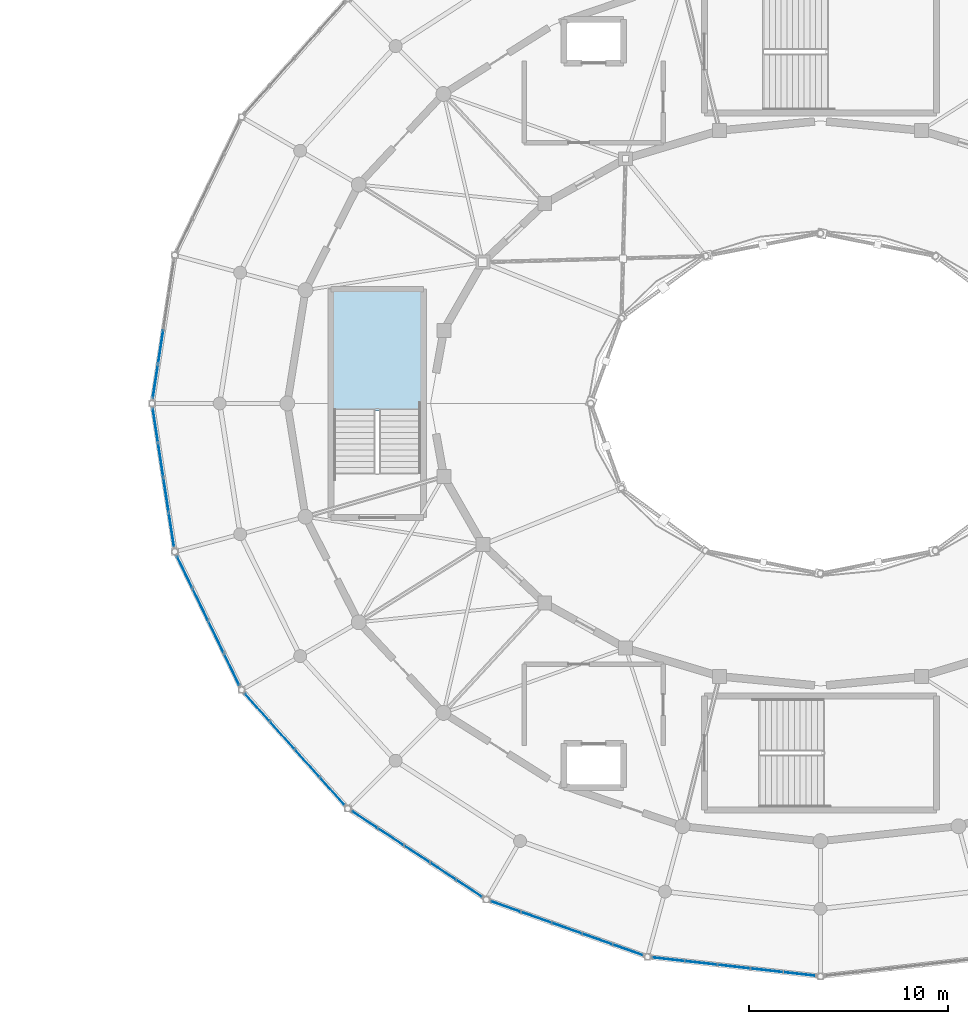
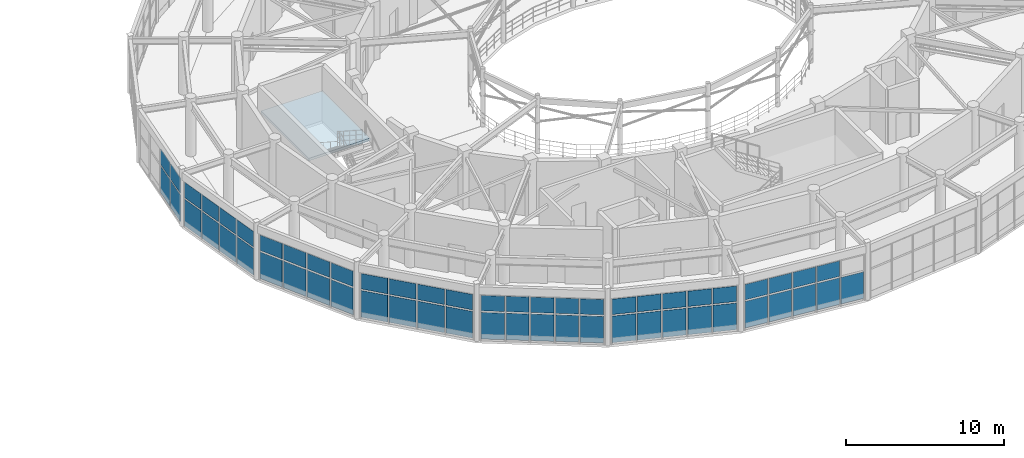
# One storey, part 31 of 60: 57 plates, 1 slab, 8 elements without a shape of their own.
"""IFC4 building model written with IfcOpenShell, lengths in metres."""

from ifc_helpers import new_model, si_unit, direction, frame, origin, origin_2d, place, context, subcontext, project, spatial, polyline, rectangle, outline, extrude, material, layer, layer_set, type_object, element, aggregate, save


model = new_model("IFC4")

# Units and contexts
model_context = context("Model", 3, precision=1e-05, world=origin(), true_north=direction((0.0, 1.0)))
body_context = subcontext(model_context, "Body", "Model", "MODEL_VIEW")
ifc_project = project(units=[si_unit("LENGTHUNIT", "METRE"), si_unit("AREAUNIT", "SQUARE_METRE"), si_unit("VOLUMEUNIT", "CUBIC_METRE"), si_unit("PLANEANGLEUNIT", "RADIAN"), si_unit("MASSUNIT", "GRAM", prefix="KILO")], contexts=[model_context])

# Site, building, storey
site_placement = place(None, origin())
site = spatial("IfcSite", under=ifc_project, at=site_placement, CompositionType="ELEMENT")
building_placement = place(site_placement, origin())
building = spatial("IfcBuilding", under=site, at=building_placement, Name="Cinderbank Siding Concert Hall", CompositionType="ELEMENT")
storey_placement = place(building_placement, frame((0.0, 0.0, 14.699951171875)))
storey = spatial("IfcBuildingStorey", under=building, at=storey_placement, Name="L04", CompositionType="ELEMENT", Elevation=14.699951171875)

# Curtain wall, plates
ifc_material_1 = material(Name="Anodised aluminium alloy 6063-T6", Category="aluminium")
curtain_wall_type_1 = type_object("IfcCurtainWallType", Name="CW-05 Unitised Acoustic Curtain Wall 8200x3800", PredefinedType="NOTDEFINED", material=ifc_material_1)
curtain_wall_1_placement = place(storey_placement, origin())
curtain_wall_1 = element("IfcCurtainWall", 1, at=curtain_wall_1_placement, inside=storey, type_object=curtain_wall_type_1, Name="L04 Curtain Wall CW-05 #64", PredefinedType="NOTDEFINED")
ifc_material_2 = material(Name="Double-glazed laminated acoustic glass", Category="glass")
ifc_layer_1 = layer(ifc_material_2, 0.035888671875)
ifc_layer_set_1 = layer_set([ifc_layer_1], Name="Double-glazed laminated acoustic glass")
plate_type_1 = type_object("IfcPlateType", Name="CP-01 Glazed Curtain Panel 1800x2200", PredefinedType="CURTAIN_PANEL", material=ifc_layer_set_1)
plate_1_placement = place(storey_placement, frame((106.181396484375, 18.7099609375, 0.1201171875), z_axis=(0.0, 0.0, 1.0), x_axis=(0.942365662238, -0.334584755532, 0.0)))
plate_1 = element("IfcPlate", 2, at=plate_1_placement, type_object=plate_type_1, Name="CW-L04-064 Glazed Panel 0-0", PredefinedType="CURTAIN_PANEL", context=body_context, shape_type="SweptSolid", body=[
    extrude(rectangle(XDim=1.529052734375, YDim=0.035888671875, at=origin_2d()), origin(), (0.0, 0.0, 1.0), 2.0625),
])
plate_2_placement = place(storey_placement, frame((106.181396484375, 18.7099609375, 2.302734375), z_axis=(0.0, 0.0, 1.0), x_axis=(0.942365662238, -0.334584755532, 0.0)))
plate_2 = element("IfcPlate", 3, at=plate_2_placement, type_object=plate_type_1, Name="CW-L04-064 Glazed Panel 0-1", PredefinedType="CURTAIN_PANEL", context=body_context, shape_type="SweptSolid", body=[
    extrude(rectangle(XDim=1.529052734375, YDim=0.035888671875, at=origin_2d()), origin(), (0.0, 0.0, 1.0), 1.194580078125),
])
plate_3_placement = place(storey_placement, frame((107.716796875, 18.1650390625, 0.1201171875), z_axis=(0.0, 0.0, 1.0), x_axis=(0.942365662238, -0.334584755532, 0.0)))
plate_3 = element("IfcPlate", 4, at=plate_3_placement, type_object=plate_type_1, Name="CW-L04-064 Glazed Panel 1-0", PredefinedType="CURTAIN_PANEL", context=body_context, shape_type="SweptSolid", body=[
    extrude(rectangle(XDim=1.529052734375, YDim=0.035888671875, at=origin_2d()), origin(), (0.0, 0.0, 1.0), 2.0625),
])
plate_4_placement = place(storey_placement, frame((107.716796875, 18.1650390625, 2.302734375), z_axis=(0.0, 0.0, 1.0), x_axis=(0.942365662238, -0.334584755532, 0.0)))
plate_4 = element("IfcPlate", 5, at=plate_4_placement, type_object=plate_type_1, Name="CW-L04-064 Glazed Panel 1-1", PredefinedType="CURTAIN_PANEL", context=body_context, shape_type="SweptSolid", body=[
    extrude(rectangle(XDim=1.529052734375, YDim=0.035888671875, at=origin_2d()), origin(), (0.0, 0.0, 1.0), 1.194580078125),
])
plate_5_placement = place(storey_placement, frame((109.251953125, 17.619873046875, 0.1201171875), z_axis=(0.0, 0.0, 1.0), x_axis=(0.942365662238, -0.334584755532, 0.0)))
plate_5 = element("IfcPlate", 6, at=plate_5_placement, type_object=plate_type_1, Name="CW-L04-064 Glazed Panel 2-0", PredefinedType="CURTAIN_PANEL", context=body_context, shape_type="SweptSolid", body=[
    extrude(rectangle(XDim=1.529052734375, YDim=0.035888671875, at=origin_2d()), origin(), (0.0, 0.0, 1.0), 2.0625),
])
plate_6_placement = place(storey_placement, frame((109.251953125, 17.619873046875, 2.302734375), z_axis=(0.0, 0.0, 1.0), x_axis=(0.942365662238, -0.334584755532, 0.0)))
plate_6 = element("IfcPlate", 7, at=plate_6_placement, type_object=plate_type_1, Name="CW-L04-064 Glazed Panel 2-1", PredefinedType="CURTAIN_PANEL", context=body_context, shape_type="SweptSolid", body=[
    extrude(rectangle(XDim=1.529052734375, YDim=0.035888671875, at=origin_2d()), origin(), (0.0, 0.0, 1.0), 1.194580078125),
])
plate_7_placement = place(storey_placement, frame((110.787109375, 17.07470703125, 0.1201171875), z_axis=(0.0, 0.0, 1.0), x_axis=(0.942365662238, -0.334584755532, 0.0)))
plate_7 = element("IfcPlate", 8, at=plate_7_placement, type_object=plate_type_1, Name="CW-L04-064 Glazed Panel 3-0", PredefinedType="CURTAIN_PANEL", context=body_context, shape_type="SweptSolid", body=[
    extrude(rectangle(XDim=1.529052734375, YDim=0.035888671875, at=origin_2d()), origin(), (0.0, 0.0, 1.0), 2.0625),
])
plate_8_placement = place(storey_placement, frame((110.787109375, 17.07470703125, 2.302734375), z_axis=(0.0, 0.0, 1.0), x_axis=(0.942365662238, -0.334584755532, 0.0)))
plate_8 = element("IfcPlate", 9, at=plate_8_placement, type_object=plate_type_1, Name="CW-L04-064 Glazed Panel 3-1", PredefinedType="CURTAIN_PANEL", context=body_context, shape_type="SweptSolid", body=[
    extrude(rectangle(XDim=1.529052734375, YDim=0.035888671875, at=origin_2d()), origin(), (0.0, 0.0, 1.0), 1.194580078125),
])
plate_9_placement = place(storey_placement, frame((112.322265625, 16.52978515625, 0.1201171875), z_axis=(0.0, 0.0, 1.0), x_axis=(0.942365662238, -0.334584755532, 0.0)))
plate_9 = element("IfcPlate", 10, at=plate_9_placement, type_object=plate_type_1, Name="CW-L04-064 Glazed Panel 4-0", PredefinedType="CURTAIN_PANEL", context=body_context, shape_type="SweptSolid", body=[
    extrude(rectangle(XDim=1.529052734375, YDim=0.035888671875, at=origin_2d()), origin(), (0.0, 0.0, 1.0), 2.0625),
])
plate_10_placement = place(storey_placement, frame((112.322265625, 16.52978515625, 2.302734375), z_axis=(0.0, 0.0, 1.0), x_axis=(0.942365662238, -0.334584755532, 0.0)))
plate_10 = element("IfcPlate", 11, at=plate_10_placement, type_object=plate_type_1, Name="CW-L04-064 Glazed Panel 4-1", PredefinedType="CURTAIN_PANEL", context=body_context, shape_type="SweptSolid", body=[
    extrude(rectangle(XDim=1.529052734375, YDim=0.035888671875, at=origin_2d()), origin(), (0.0, 0.0, 1.0), 1.194580078125),
])
aggregate(curtain_wall_1, [plate_1, plate_2, plate_3, plate_4, plate_5, plate_6, plate_7, plate_8, plate_9, plate_10])

curtain_wall_type_2 = type_object("IfcCurtainWallType", Name="CW-06 Unitised Acoustic Curtain Wall 7600x3800", PredefinedType="NOTDEFINED", material=ifc_material_1)
curtain_wall_2_placement = place(storey_placement, origin())
curtain_wall_2 = element("IfcCurtainWall", 12, at=curtain_wall_2_placement, inside=storey, type_object=curtain_wall_type_2, Name="L04 Curtain Wall CW-06 #65", PredefinedType="NOTDEFINED")
ifc_layer_2 = layer(ifc_material_2, 0.035888671875)
ifc_layer_set_2 = layer_set([ifc_layer_2], Name="Double-glazed laminated acoustic glass")
plate_type_2 = type_object("IfcPlateType", Name="CP-02 Glazed Curtain Panel 1800x1900", PredefinedType="CURTAIN_PANEL", material=ifc_layer_set_2)
plate_11_placement = place(storey_placement, frame((114.353759765625, 16.062744140625, 0.1201171875), z_axis=(0.0, 0.0, 1.0), x_axis=(0.993693605349, -0.112129472879, 0.0)))
plate_11 = element("IfcPlate", 13, at=plate_11_placement, type_object=plate_type_2, Name="CW-L04-065 Glazed Panel 0-0", PredefinedType="CURTAIN_PANEL", context=body_context, shape_type="SweptSolid", body=[
    extrude(rectangle(XDim=1.5595703125, YDim=0.035888671875, at=origin_2d()), origin(), (0.0, 0.0, 1.0), 2.0625),
])
plate_12_placement = place(storey_placement, frame((114.353759765625, 16.062744140625, 2.302734375), z_axis=(0.0, 0.0, 1.0), x_axis=(0.993693605349, -0.112129472879, 0.0)))
plate_12 = element("IfcPlate", 14, at=plate_12_placement, type_object=plate_type_2, Name="CW-L04-065 Glazed Panel 0-1", PredefinedType="CURTAIN_PANEL", context=body_context, shape_type="SweptSolid", body=[
    extrude(rectangle(XDim=1.5595703125, YDim=0.035888671875, at=origin_2d()), origin(), (0.0, 0.0, 1.0), 1.194580078125),
])
plate_13_placement = place(storey_placement, frame((116.002685546875, 15.876708984375, 0.1201171875), z_axis=(0.0, 0.0, 1.0), x_axis=(0.993693605349, -0.112129472879, 0.0)))
plate_13 = element("IfcPlate", 15, at=plate_13_placement, type_object=plate_type_2, Name="CW-L04-065 Glazed Panel 1-0", PredefinedType="CURTAIN_PANEL", context=body_context, shape_type="SweptSolid", body=[
    extrude(rectangle(XDim=1.5595703125, YDim=0.035888671875, at=origin_2d()), origin(), (0.0, 0.0, 1.0), 2.0625),
])
plate_14_placement = place(storey_placement, frame((116.002685546875, 15.876708984375, 2.302734375), z_axis=(0.0, 0.0, 1.0), x_axis=(0.993693605349, -0.112129472879, 0.0)))
plate_14 = element("IfcPlate", 16, at=plate_14_placement, type_object=plate_type_2, Name="CW-L04-065 Glazed Panel 1-1", PredefinedType="CURTAIN_PANEL", context=body_context, shape_type="SweptSolid", body=[
    extrude(rectangle(XDim=1.5595703125, YDim=0.035888671875, at=origin_2d()), origin(), (0.0, 0.0, 1.0), 1.194580078125),
])
plate_15_placement = place(storey_placement, frame((117.65185546875, 15.690673828125, 0.1201171875), z_axis=(0.0, 0.0, 1.0), x_axis=(0.993693605349, -0.112129472879, 0.0)))
plate_15 = element("IfcPlate", 17, at=plate_15_placement, type_object=plate_type_2, Name="CW-L04-065 Glazed Panel 2-0", PredefinedType="CURTAIN_PANEL", context=body_context, shape_type="SweptSolid", body=[
    extrude(rectangle(XDim=1.5595703125, YDim=0.035888671875, at=origin_2d()), origin(), (0.0, 0.0, 1.0), 2.0625),
])
plate_16_placement = place(storey_placement, frame((117.65185546875, 15.690673828125, 2.302734375), z_axis=(0.0, 0.0, 1.0), x_axis=(0.993693605349, -0.112129472879, 0.0)))
plate_16 = element("IfcPlate", 18, at=plate_16_placement, type_object=plate_type_2, Name="CW-L04-065 Glazed Panel 2-1", PredefinedType="CURTAIN_PANEL", context=body_context, shape_type="SweptSolid", body=[
    extrude(rectangle(XDim=1.5595703125, YDim=0.035888671875, at=origin_2d()), origin(), (0.0, 0.0, 1.0), 1.194580078125),
])
plate_17_placement = place(storey_placement, frame((119.30078125, 15.504638671875, 0.1201171875), z_axis=(0.0, 0.0, 1.0), x_axis=(0.993693605349, -0.112129472879, 0.0)))
plate_17 = element("IfcPlate", 19, at=plate_17_placement, type_object=plate_type_2, Name="CW-L04-065 Glazed Panel 3-0", PredefinedType="CURTAIN_PANEL", context=body_context, shape_type="SweptSolid", body=[
    extrude(rectangle(XDim=1.5595703125, YDim=0.035888671875, at=origin_2d()), origin(), (0.0, 0.0, 1.0), 2.0625),
])
plate_18_placement = place(storey_placement, frame((119.30078125, 15.504638671875, 2.302734375), z_axis=(0.0, 0.0, 1.0), x_axis=(0.993693605349, -0.112129472879, 0.0)))
plate_18 = element("IfcPlate", 20, at=plate_18_placement, type_object=plate_type_2, Name="CW-L04-065 Glazed Panel 3-1", PredefinedType="CURTAIN_PANEL", context=body_context, shape_type="SweptSolid", body=[
    extrude(rectangle(XDim=1.5595703125, YDim=0.035888671875, at=origin_2d()), origin(), (0.0, 0.0, 1.0), 1.194580078125),
])
plate_19_placement = place(storey_placement, frame((120.949951171875, 15.318603515625, 0.1201171875), z_axis=(0.0, 0.0, 1.0), x_axis=(0.993693605349, -0.112129472879, 0.0)))
plate_19 = element("IfcPlate", 21, at=plate_19_placement, type_object=plate_type_2, Name="CW-L04-065 Glazed Panel 4-0", PredefinedType="CURTAIN_PANEL", context=body_context, shape_type="SweptSolid", body=[
    extrude(rectangle(XDim=1.5595703125, YDim=0.035888671875, at=origin_2d()), origin(), (0.0, 0.0, 1.0), 2.0625),
])
aggregate(curtain_wall_2, [plate_11, plate_12, plate_13, plate_14, plate_15, plate_16, plate_17, plate_18, plate_19])

curtain_wall_type_3 = type_object("IfcCurtainWallType", Name="CW-12 Unitised Acoustic Curtain Wall 5800x3500", PredefinedType="NOTDEFINED", material=ifc_material_1)
curtain_wall_3_placement = place(storey_placement, origin())
curtain_wall_3 = element("IfcCurtainWall", 22, at=curtain_wall_3_placement, inside=storey, type_object=curtain_wall_type_3, Name="L04 Curtain Wall CW-12 #59", PredefinedType="NOTDEFINED")
ifc_layer_3 = layer(ifc_material_2, 0.031982421875)
ifc_layer_set_3 = layer_set([ifc_layer_3], Name="Double-glazed laminated acoustic glass")
plate_type_3 = type_object("IfcPlateType", Name="CP-04 Glazed Curtain Panel 1400x2000", PredefinedType="CURTAIN_PANEL", material=ifc_layer_set_3)
plate_20_placement = place(storey_placement, frame((88.837890625, 46.851318359375, 0.1201171875), z_axis=(0.0, 0.0, 1.0), x_axis=(-0.151815048473, -0.988408918949, 0.0)))
plate_20 = element("IfcPlate", 23, at=plate_20_placement, type_object=plate_type_3, Name="CW-L04-059 Glazed Panel 2-0", PredefinedType="CURTAIN_PANEL", context=body_context, shape_type="SweptSolid", body=[
    extrude(rectangle(XDim=1.671875, YDim=0.035888671875, at=origin_2d()), origin(), (0.0, 0.0, 1.0), 2.0625),
])
plate_21_placement = place(storey_placement, frame((88.837890625, 46.851318359375, 2.302734375), z_axis=(0.0, 0.0, 1.0), x_axis=(-0.151815048473, -0.988408918949, 0.0)))
plate_21 = element("IfcPlate", 24, at=plate_21_placement, type_object=plate_type_3, Name="CW-L04-059 Glazed Panel 2-1", PredefinedType="CURTAIN_PANEL", context=body_context, shape_type="SweptSolid", body=[
    extrude(rectangle(XDim=1.671875, YDim=0.035888671875, at=origin_2d()), origin(), (0.0, 0.0, 1.0), 1.194580078125),
])
plate_22_placement = place(storey_placement, frame((88.569091796875, 45.10009765625, 0.1201171875), z_axis=(0.0, 0.0, 1.0), x_axis=(-0.151815048473, -0.988408918949, 0.0)))
plate_22 = element("IfcPlate", 25, at=plate_22_placement, type_object=plate_type_3, Name="CW-L04-059 Glazed Panel 3-0", PredefinedType="CURTAIN_PANEL", context=body_context, shape_type="SweptSolid", body=[
    extrude(rectangle(XDim=1.671875, YDim=0.035888671875, at=origin_2d()), origin(), (0.0, 0.0, 1.0), 2.0625),
])
plate_23_placement = place(storey_placement, frame((88.569091796875, 45.10009765625, 2.302734375), z_axis=(0.0, 0.0, 1.0), x_axis=(-0.151815048473, -0.988408918949, 0.0)))
plate_23 = element("IfcPlate", 26, at=plate_23_placement, type_object=plate_type_3, Name="CW-L04-059 Glazed Panel 3-1", PredefinedType="CURTAIN_PANEL", context=body_context, shape_type="SweptSolid", body=[
    extrude(rectangle(XDim=1.671875, YDim=0.035888671875, at=origin_2d()), origin(), (0.0, 0.0, 1.0), 1.194580078125),
])
aggregate(curtain_wall_3, [plate_20, plate_21, plate_22, plate_23])

curtain_wall_type_4 = type_object("IfcCurtainWallType", Name="CW-01 Unitised Acoustic Curtain Wall 8200x4400", PredefinedType="NOTDEFINED", material=ifc_material_1)
curtain_wall_4_placement = place(storey_placement, origin())
curtain_wall_4 = element("IfcCurtainWall", 27, at=curtain_wall_4_placement, inside=storey, type_object=curtain_wall_type_4, Name="L04 Curtain Wall CW-01 #60", PredefinedType="NOTDEFINED")
ifc_layer_4 = layer(ifc_material_2, 0.031982421875)
ifc_layer_set_4 = layer_set([ifc_layer_4], Name="Double-glazed laminated acoustic glass")
plate_type_4 = type_object("IfcPlateType", Name="CP-05 Glazed Curtain Panel 1200x1800", PredefinedType="CURTAIN_PANEL", material=ifc_layer_set_4)
plate_24_placement = place(storey_placement, frame((88.569091796875, 42.89990234375, 0.1201171875), z_axis=(0.0, 0.0, 1.0), x_axis=(0.151815048473, -0.988408918949, 0.0)))
plate_24 = element("IfcPlate", 28, at=plate_24_placement, type_object=plate_type_4, Name="CW-L04-060 Glazed Panel 0-0", PredefinedType="CURTAIN_PANEL", context=body_context, shape_type="SweptSolid", body=[
    extrude(rectangle(XDim=1.671875, YDim=0.035888671875, at=origin_2d()), origin(), (0.0, 0.0, 1.0), 2.0625),
])
plate_25_placement = place(storey_placement, frame((88.569091796875, 42.89990234375, 2.302734375), z_axis=(0.0, 0.0, 1.0), x_axis=(0.151815048473, -0.988408918949, 0.0)))
plate_25 = element("IfcPlate", 29, at=plate_25_placement, type_object=plate_type_4, Name="CW-L04-060 Glazed Panel 0-1", PredefinedType="CURTAIN_PANEL", context=body_context, shape_type="SweptSolid", body=[
    extrude(rectangle(XDim=1.671875, YDim=0.035888671875, at=origin_2d()), origin(), (0.0, 0.0, 1.0), 1.194580078125),
])
plate_26_placement = place(storey_placement, frame((88.837890625, 41.148681640625, 0.1201171875), z_axis=(0.0, 0.0, 1.0), x_axis=(0.151815048473, -0.988408918949, 0.0)))
plate_26 = element("IfcPlate", 30, at=plate_26_placement, type_object=plate_type_4, Name="CW-L04-060 Glazed Panel 1-0", PredefinedType="CURTAIN_PANEL", context=body_context, shape_type="SweptSolid", body=[
    extrude(rectangle(XDim=1.671875, YDim=0.035888671875, at=origin_2d()), origin(), (0.0, 0.0, 1.0), 2.0625),
])
plate_27_placement = place(storey_placement, frame((88.837890625, 41.148681640625, 2.302734375), z_axis=(0.0, 0.0, 1.0), x_axis=(0.151815048473, -0.988408918949, 0.0)))
plate_27 = element("IfcPlate", 31, at=plate_27_placement, type_object=plate_type_4, Name="CW-L04-060 Glazed Panel 1-1", PredefinedType="CURTAIN_PANEL", context=body_context, shape_type="SweptSolid", body=[
    extrude(rectangle(XDim=1.671875, YDim=0.035888671875, at=origin_2d()), origin(), (0.0, 0.0, 1.0), 1.194580078125),
])
plate_28_placement = place(storey_placement, frame((89.10693359375, 39.397216796875, 0.1201171875), z_axis=(0.0, 0.0, 1.0), x_axis=(0.151815048473, -0.988408918949, 0.0)))
plate_28 = element("IfcPlate", 32, at=plate_28_placement, type_object=plate_type_4, Name="CW-L04-060 Glazed Panel 2-0", PredefinedType="CURTAIN_PANEL", context=body_context, shape_type="SweptSolid", body=[
    extrude(rectangle(XDim=1.671875, YDim=0.035888671875, at=origin_2d()), origin(), (0.0, 0.0, 1.0), 2.0625),
])
plate_29_placement = place(storey_placement, frame((89.10693359375, 39.397216796875, 2.302734375), z_axis=(0.0, 0.0, 1.0), x_axis=(0.151815048473, -0.988408918949, 0.0)))
plate_29 = element("IfcPlate", 33, at=plate_29_placement, type_object=plate_type_4, Name="CW-L04-060 Glazed Panel 2-1", PredefinedType="CURTAIN_PANEL", context=body_context, shape_type="SweptSolid", body=[
    extrude(rectangle(XDim=1.671875, YDim=0.035888671875, at=origin_2d()), origin(), (0.0, 0.0, 1.0), 1.194580078125),
])
plate_30_placement = place(storey_placement, frame((89.3759765625, 37.64599609375, 0.1201171875), z_axis=(0.0, 0.0, 1.0), x_axis=(0.151815048473, -0.988408918949, 0.0)))
plate_30 = element("IfcPlate", 34, at=plate_30_placement, type_object=plate_type_4, Name="CW-L04-060 Glazed Panel 3-0", PredefinedType="CURTAIN_PANEL", context=body_context, shape_type="SweptSolid", body=[
    extrude(rectangle(XDim=1.671875, YDim=0.035888671875, at=origin_2d()), origin(), (0.0, 0.0, 1.0), 2.0625),
])
plate_31_placement = place(storey_placement, frame((89.3759765625, 37.64599609375, 2.302734375), z_axis=(0.0, 0.0, 1.0), x_axis=(0.151815048473, -0.988408918949, 0.0)))
plate_31 = element("IfcPlate", 35, at=plate_31_placement, type_object=plate_type_4, Name="CW-L04-060 Glazed Panel 3-1", PredefinedType="CURTAIN_PANEL", context=body_context, shape_type="SweptSolid", body=[
    extrude(rectangle(XDim=1.671875, YDim=0.035888671875, at=origin_2d()), origin(), (0.0, 0.0, 1.0), 1.194580078125),
])
aggregate(curtain_wall_4, [plate_24, plate_25, plate_26, plate_27, plate_28, plate_29, plate_30, plate_31])

curtain_wall_type_5 = type_object("IfcCurtainWallType", Name="CW-02 Unitised Acoustic Curtain Wall 7800x4400", PredefinedType="NOTDEFINED", material=ifc_material_1)
curtain_wall_5_placement = place(storey_placement, origin())
curtain_wall_5 = element("IfcCurtainWall", 36, at=curtain_wall_5_placement, inside=storey, type_object=curtain_wall_type_5, Name="L04 Curtain Wall CW-02 #61", PredefinedType="NOTDEFINED")
ifc_layer_5 = layer(ifc_material_2, 0.0380859375)
ifc_layer_set_5 = layer_set([ifc_layer_5], Name="Double-glazed laminated acoustic glass")
plate_type_5 = type_object("IfcPlateType", Name="CP-06 Glazed Curtain Panel 2100x1600", PredefinedType="CURTAIN_PANEL", material=ifc_layer_set_5)
plate_32_placement = place(storey_placement, frame((90.03857421875, 35.5244140625, 0.1201171875), z_axis=(0.0, 0.0, 1.0), x_axis=(0.435102109714, -0.900381116041, 0.0)))
plate_32 = element("IfcPlate", 37, at=plate_32_placement, type_object=plate_type_5, Name="CW-L04-061 Glazed Panel 0-0", PredefinedType="CURTAIN_PANEL", context=body_context, shape_type="SweptSolid", body=[
    extrude(rectangle(XDim=1.715087890625, YDim=0.035888671875, at=origin_2d()), origin(), (0.0, 0.0, 1.0), 2.0625),
])
plate_33_placement = place(storey_placement, frame((90.03857421875, 35.5244140625, 2.302734375), z_axis=(0.0, 0.0, 1.0), x_axis=(0.435102109714, -0.900381116041, 0.0)))
plate_33 = element("IfcPlate", 38, at=plate_33_placement, type_object=plate_type_5, Name="CW-L04-061 Glazed Panel 0-1", PredefinedType="CURTAIN_PANEL", context=body_context, shape_type="SweptSolid", body=[
    extrude(rectangle(XDim=1.715087890625, YDim=0.035888671875, at=origin_2d()), origin(), (0.0, 0.0, 1.0), 1.194580078125),
])
plate_34_placement = place(storey_placement, frame((90.828369140625, 33.89013671875, 0.1201171875), z_axis=(0.0, 0.0, 1.0), x_axis=(0.435102109714, -0.900381116041, 0.0)))
plate_34 = element("IfcPlate", 39, at=plate_34_placement, type_object=plate_type_5, Name="CW-L04-061 Glazed Panel 1-0", PredefinedType="CURTAIN_PANEL", context=body_context, shape_type="SweptSolid", body=[
    extrude(rectangle(XDim=1.715087890625, YDim=0.035888671875, at=origin_2d()), origin(), (0.0, 0.0, 1.0), 2.0625),
])
plate_35_placement = place(storey_placement, frame((90.828369140625, 33.89013671875, 2.302734375), z_axis=(0.0, 0.0, 1.0), x_axis=(0.435102109714, -0.900381116041, 0.0)))
plate_35 = element("IfcPlate", 40, at=plate_35_placement, type_object=plate_type_5, Name="CW-L04-061 Glazed Panel 1-1", PredefinedType="CURTAIN_PANEL", context=body_context, shape_type="SweptSolid", body=[
    extrude(rectangle(XDim=1.715087890625, YDim=0.035888671875, at=origin_2d()), origin(), (0.0, 0.0, 1.0), 1.194580078125),
])
plate_36_placement = place(storey_placement, frame((91.6181640625, 32.255859375, 0.1201171875), z_axis=(0.0, 0.0, 1.0), x_axis=(0.435102109714, -0.900381116041, 0.0)))
plate_36 = element("IfcPlate", 41, at=plate_36_placement, type_object=plate_type_5, Name="CW-L04-061 Glazed Panel 2-0", PredefinedType="CURTAIN_PANEL", context=body_context, shape_type="SweptSolid", body=[
    extrude(rectangle(XDim=1.715087890625, YDim=0.035888671875, at=origin_2d()), origin(), (0.0, 0.0, 1.0), 2.0625),
])
plate_37_placement = place(storey_placement, frame((91.6181640625, 32.255859375, 2.302734375), z_axis=(0.0, 0.0, 1.0), x_axis=(0.435102109714, -0.900381116041, 0.0)))
plate_37 = element("IfcPlate", 42, at=plate_37_placement, type_object=plate_type_5, Name="CW-L04-061 Glazed Panel 2-1", PredefinedType="CURTAIN_PANEL", context=body_context, shape_type="SweptSolid", body=[
    extrude(rectangle(XDim=1.715087890625, YDim=0.035888671875, at=origin_2d()), origin(), (0.0, 0.0, 1.0), 1.194580078125),
])
plate_38_placement = place(storey_placement, frame((92.407958984375, 30.62158203125, 0.1201171875), z_axis=(0.0, 0.0, 1.0), x_axis=(0.435102109714, -0.900381116041, 0.0)))
plate_38 = element("IfcPlate", 43, at=plate_38_placement, type_object=plate_type_5, Name="CW-L04-061 Glazed Panel 3-0", PredefinedType="CURTAIN_PANEL", context=body_context, shape_type="SweptSolid", body=[
    extrude(rectangle(XDim=1.715087890625, YDim=0.035888671875, at=origin_2d()), origin(), (0.0, 0.0, 1.0), 2.0625),
])
plate_39_placement = place(storey_placement, frame((92.407958984375, 30.62158203125, 2.302734375), z_axis=(0.0, 0.0, 1.0), x_axis=(0.435102109714, -0.900381116041, 0.0)))
plate_39 = element("IfcPlate", 44, at=plate_39_placement, type_object=plate_type_5, Name="CW-L04-061 Glazed Panel 3-1", PredefinedType="CURTAIN_PANEL", context=body_context, shape_type="SweptSolid", body=[
    extrude(rectangle(XDim=1.715087890625, YDim=0.035888671875, at=origin_2d()), origin(), (0.0, 0.0, 1.0), 1.194580078125),
])
aggregate(curtain_wall_5, [plate_32, plate_33, plate_34, plate_35, plate_36, plate_37, plate_38, plate_39])

curtain_wall_type_6 = type_object("IfcCurtainWallType", Name="CW-03 Unitised Acoustic Curtain Wall 7400x4400", PredefinedType="NOTDEFINED", material=ifc_material_1)
curtain_wall_6_placement = place(storey_placement, origin())
curtain_wall_6 = element("IfcCurtainWall", 45, at=curtain_wall_6_placement, inside=storey, type_object=curtain_wall_type_6, Name="L04 Curtain Wall CW-03 #62", PredefinedType="NOTDEFINED")
ifc_layer_6 = layer(ifc_material_2, 0.033935546875)
ifc_layer_set_6 = layer_set([ifc_layer_6], Name="Double-glazed laminated acoustic glass")
plate_type_6 = type_object("IfcPlateType", Name="CP-07 Glazed Curtain Panel 1500x1750", PredefinedType="CURTAIN_PANEL", material=ifc_layer_set_6)
plate_40_placement = place(storey_placement, frame((93.6826171875, 28.7275390625, 0.1201171875), z_axis=(0.0, 0.0, 1.0), x_axis=(0.666993465338, -0.745063565877, 0.0)))
plate_40 = element("IfcPlate", 46, at=plate_40_placement, type_object=plate_type_6, Name="CW-L04-062 Glazed Panel 0-0", PredefinedType="CURTAIN_PANEL", context=body_context, shape_type="SweptSolid", body=[
    extrude(rectangle(XDim=1.787841796875, YDim=0.035888671875, at=origin_2d()), origin(), (0.0, 0.0, 1.0), 2.0625),
])
plate_41_placement = place(storey_placement, frame((93.6826171875, 28.7275390625, 2.302734375), z_axis=(0.0, 0.0, 1.0), x_axis=(0.666993465338, -0.745063565877, 0.0)))
plate_41 = element("IfcPlate", 47, at=plate_41_placement, type_object=plate_type_6, Name="CW-L04-062 Glazed Panel 0-1", PredefinedType="CURTAIN_PANEL", context=body_context, shape_type="SweptSolid", body=[
    extrude(rectangle(XDim=1.787841796875, YDim=0.035888671875, at=origin_2d()), origin(), (0.0, 0.0, 1.0), 1.194580078125),
])
plate_42_placement = place(storey_placement, frame((94.941650390625, 27.321044921875, 0.1201171875), z_axis=(0.0, 0.0, 1.0), x_axis=(0.666993465338, -0.745063565877, 0.0)))
plate_42 = element("IfcPlate", 48, at=plate_42_placement, type_object=plate_type_6, Name="CW-L04-062 Glazed Panel 1-0", PredefinedType="CURTAIN_PANEL", context=body_context, shape_type="SweptSolid", body=[
    extrude(rectangle(XDim=1.787841796875, YDim=0.035888671875, at=origin_2d()), origin(), (0.0, 0.0, 1.0), 2.0625),
])
plate_43_placement = place(storey_placement, frame((94.941650390625, 27.321044921875, 2.302734375), z_axis=(0.0, 0.0, 1.0), x_axis=(0.666993465338, -0.745063565877, 0.0)))
plate_43 = element("IfcPlate", 49, at=plate_43_placement, type_object=plate_type_6, Name="CW-L04-062 Glazed Panel 1-1", PredefinedType="CURTAIN_PANEL", context=body_context, shape_type="SweptSolid", body=[
    extrude(rectangle(XDim=1.787841796875, YDim=0.035888671875, at=origin_2d()), origin(), (0.0, 0.0, 1.0), 1.194580078125),
])
plate_44_placement = place(storey_placement, frame((96.200927734375, 25.914306640625, 0.1201171875), z_axis=(0.0, 0.0, 1.0), x_axis=(0.666993465338, -0.745063565877, 0.0)))
plate_44 = element("IfcPlate", 50, at=plate_44_placement, type_object=plate_type_6, Name="CW-L04-062 Glazed Panel 2-0", PredefinedType="CURTAIN_PANEL", context=body_context, shape_type="SweptSolid", body=[
    extrude(rectangle(XDim=1.787841796875, YDim=0.035888671875, at=origin_2d()), origin(), (0.0, 0.0, 1.0), 2.0625),
])
plate_45_placement = place(storey_placement, frame((96.200927734375, 25.914306640625, 2.302734375), z_axis=(0.0, 0.0, 1.0), x_axis=(0.666993465338, -0.745063565877, 0.0)))
plate_45 = element("IfcPlate", 51, at=plate_45_placement, type_object=plate_type_6, Name="CW-L04-062 Glazed Panel 2-1", PredefinedType="CURTAIN_PANEL", context=body_context, shape_type="SweptSolid", body=[
    extrude(rectangle(XDim=1.787841796875, YDim=0.035888671875, at=origin_2d()), origin(), (0.0, 0.0, 1.0), 1.194580078125),
])
plate_46_placement = place(storey_placement, frame((97.460205078125, 24.5078125, 0.1201171875), z_axis=(0.0, 0.0, 1.0), x_axis=(0.666993465338, -0.745063565877, 0.0)))
plate_46 = element("IfcPlate", 52, at=plate_46_placement, type_object=plate_type_6, Name="CW-L04-062 Glazed Panel 3-0", PredefinedType="CURTAIN_PANEL", context=body_context, shape_type="SweptSolid", body=[
    extrude(rectangle(XDim=1.787841796875, YDim=0.035888671875, at=origin_2d()), origin(), (0.0, 0.0, 1.0), 2.0625),
])
plate_47_placement = place(storey_placement, frame((97.460205078125, 24.5078125, 2.302734375), z_axis=(0.0, 0.0, 1.0), x_axis=(0.666993465338, -0.745063565877, 0.0)))
plate_47 = element("IfcPlate", 53, at=plate_47_placement, type_object=plate_type_6, Name="CW-L04-062 Glazed Panel 3-1", PredefinedType="CURTAIN_PANEL", context=body_context, shape_type="SweptSolid", body=[
    extrude(rectangle(XDim=1.787841796875, YDim=0.035888671875, at=origin_2d()), origin(), (0.0, 0.0, 1.0), 1.194580078125),
])
aggregate(curtain_wall_6, [plate_40, plate_41, plate_42, plate_43, plate_44, plate_45, plate_46, plate_47])

curtain_wall_type_7 = type_object("IfcCurtainWallType", Name="CW-04 Unitised Acoustic Curtain Wall 7000x4400", PredefinedType="NOTDEFINED", material=ifc_material_1)
curtain_wall_7_placement = place(storey_placement, origin())
curtain_wall_7 = element("IfcCurtainWall", 54, at=curtain_wall_7_placement, inside=storey, type_object=curtain_wall_type_7, Name="L04 Curtain Wall CW-04 #63", PredefinedType="NOTDEFINED")
ifc_layer_7 = layer(ifc_material_2, 0.033935546875)
ifc_layer_set_7 = layer_set([ifc_layer_7], Name="Double-glazed laminated acoustic glass")
plate_type_7 = type_object("IfcPlateType", Name="CP-08 Glazed Curtain Panel 1700x1550", PredefinedType="CURTAIN_PANEL", material=ifc_layer_set_7)
plate_48_placement = place(storey_placement, frame((99.0888671875, 23.077880859375, 0.1201171875), z_axis=(0.0, 0.0, 1.0), x_axis=(0.835491932304, -0.549502712509, 0.0)))
plate_48 = element("IfcPlate", 55, at=plate_48_placement, type_object=plate_type_7, Name="CW-L04-063 Glazed Panel 0-0", PredefinedType="CURTAIN_PANEL", context=body_context, shape_type="SweptSolid", body=[
    extrude(rectangle(XDim=1.47509765625, YDim=0.035888671875, at=origin_2d()), origin(), (0.0, 0.0, 1.0), 2.0625),
])
plate_49_placement = place(storey_placement, frame((99.0888671875, 23.077880859375, 2.302734375), z_axis=(0.0, 0.0, 1.0), x_axis=(0.835491932304, -0.549502712509, 0.0)))
plate_49 = element("IfcPlate", 56, at=plate_49_placement, type_object=plate_type_7, Name="CW-L04-063 Glazed Panel 0-1", PredefinedType="CURTAIN_PANEL", context=body_context, shape_type="SweptSolid", body=[
    extrude(rectangle(XDim=1.47509765625, YDim=0.035888671875, at=origin_2d()), origin(), (0.0, 0.0, 1.0), 1.194580078125),
])
plate_50_placement = place(storey_placement, frame((100.40478515625, 22.21240234375, 0.1201171875), z_axis=(0.0, 0.0, 1.0), x_axis=(0.835491932304, -0.549502712509, 0.0)))
plate_50 = element("IfcPlate", 57, at=plate_50_placement, type_object=plate_type_7, Name="CW-L04-063 Glazed Panel 1-0", PredefinedType="CURTAIN_PANEL", context=body_context, shape_type="SweptSolid", body=[
    extrude(rectangle(XDim=1.47509765625, YDim=0.035888671875, at=origin_2d()), origin(), (0.0, 0.0, 1.0), 2.0625),
])
plate_51_placement = place(storey_placement, frame((100.40478515625, 22.21240234375, 2.302734375), z_axis=(0.0, 0.0, 1.0), x_axis=(0.835491932304, -0.549502712509, 0.0)))
plate_51 = element("IfcPlate", 58, at=plate_51_placement, type_object=plate_type_7, Name="CW-L04-063 Glazed Panel 1-1", PredefinedType="CURTAIN_PANEL", context=body_context, shape_type="SweptSolid", body=[
    extrude(rectangle(XDim=1.47509765625, YDim=0.035888671875, at=origin_2d()), origin(), (0.0, 0.0, 1.0), 1.194580078125),
])
plate_52_placement = place(storey_placement, frame((101.720703125, 21.346923828125, 0.1201171875), z_axis=(0.0, 0.0, 1.0), x_axis=(0.835491932304, -0.549502712509, 0.0)))
plate_52 = element("IfcPlate", 59, at=plate_52_placement, type_object=plate_type_7, Name="CW-L04-063 Glazed Panel 2-0", PredefinedType="CURTAIN_PANEL", context=body_context, shape_type="SweptSolid", body=[
    extrude(rectangle(XDim=1.47509765625, YDim=0.035888671875, at=origin_2d()), origin(), (0.0, 0.0, 1.0), 2.0625),
])
plate_53_placement = place(storey_placement, frame((101.720703125, 21.346923828125, 2.302734375), z_axis=(0.0, 0.0, 1.0), x_axis=(0.835491932304, -0.549502712509, 0.0)))
plate_53 = element("IfcPlate", 60, at=plate_53_placement, type_object=plate_type_7, Name="CW-L04-063 Glazed Panel 2-1", PredefinedType="CURTAIN_PANEL", context=body_context, shape_type="SweptSolid", body=[
    extrude(rectangle(XDim=1.47509765625, YDim=0.035888671875, at=origin_2d()), origin(), (0.0, 0.0, 1.0), 1.194580078125),
])
plate_54_placement = place(storey_placement, frame((103.03662109375, 20.4814453125, 0.1201171875), z_axis=(0.0, 0.0, 1.0), x_axis=(0.835491932304, -0.549502712509, 0.0)))
plate_54 = element("IfcPlate", 61, at=plate_54_placement, type_object=plate_type_7, Name="CW-L04-063 Glazed Panel 3-0", PredefinedType="CURTAIN_PANEL", context=body_context, shape_type="SweptSolid", body=[
    extrude(rectangle(XDim=1.47509765625, YDim=0.035888671875, at=origin_2d()), origin(), (0.0, 0.0, 1.0), 2.0625),
])
plate_55_placement = place(storey_placement, frame((103.03662109375, 20.4814453125, 2.302734375), z_axis=(0.0, 0.0, 1.0), x_axis=(0.835491932304, -0.549502712509, 0.0)))
plate_55 = element("IfcPlate", 62, at=plate_55_placement, type_object=plate_type_7, Name="CW-L04-063 Glazed Panel 3-1", PredefinedType="CURTAIN_PANEL", context=body_context, shape_type="SweptSolid", body=[
    extrude(rectangle(XDim=1.47509765625, YDim=0.035888671875, at=origin_2d()), origin(), (0.0, 0.0, 1.0), 1.194580078125),
])
plate_56_placement = place(storey_placement, frame((104.352294921875, 19.615966796875, 0.1201171875), z_axis=(0.0, 0.0, 1.0), x_axis=(0.835491932304, -0.549502712509, 0.0)))
plate_56 = element("IfcPlate", 63, at=plate_56_placement, type_object=plate_type_7, Name="CW-L04-063 Glazed Panel 4-0", PredefinedType="CURTAIN_PANEL", context=body_context, shape_type="SweptSolid", body=[
    extrude(rectangle(XDim=1.47509765625, YDim=0.035888671875, at=origin_2d()), origin(), (0.0, 0.0, 1.0), 2.0625),
])
plate_57_placement = place(storey_placement, frame((104.352294921875, 19.615966796875, 2.302734375), z_axis=(0.0, 0.0, 1.0), x_axis=(0.835491932304, -0.549502712509, 0.0)))
plate_57 = element("IfcPlate", 64, at=plate_57_placement, type_object=plate_type_7, Name="CW-L04-063 Glazed Panel 4-1", PredefinedType="CURTAIN_PANEL", context=body_context, shape_type="SweptSolid", body=[
    extrude(rectangle(XDim=1.47509765625, YDim=0.035888671875, at=origin_2d()), origin(), (0.0, 0.0, 1.0), 1.194580078125),
])
aggregate(curtain_wall_7, [plate_48, plate_49, plate_50, plate_51, plate_52, plate_53, plate_54, plate_55, plate_56, plate_57])

# Stair, slab
ifc_material_3 = material(Name="Reinforced concrete AS 3600 N50 (50 MPa)", Category="concrete")
stair_type = type_object("IfcStairType", Name="STR-D Dogleg Exit Stair 2100mm", PredefinedType="HALF_TURN_STAIR", material=ifc_material_3)
stair_placement = place(storey_placement, origin())
stair = element("IfcStair", 65, at=stair_placement, inside=storey, type_object=stair_type, Name="L04 West Drum Exit Stair ST-04", PredefinedType="HALF_TURN_STAIR")
ifc_layer_8 = layer(ifc_material_3, 0.199951171875)
ifc_layer_set_8 = layer_set([ifc_layer_8], Name="Reinforced concrete AS 3600 N50 (50 MPa)")
slab_type = type_object("IfcSlabType", Name="LD-02 Slab 200mm", PredefinedType="LANDING", material=ifc_layer_set_8)
slab_placement = place(storey_placement, frame((0.0, 0.0, 2.050048828125)))
slab = element("IfcSlab", 66, at=slab_placement, type_object=slab_type, Name="ST-04 landing 1", PredefinedType="LANDING", context=body_context, shape_type="SweptSolid", body=[
    extrude(outline(polyline([(101.97998046875, 43.610107421875), (97.4599609375, 43.610107421875), (97.4599609375, 49.679931640625), (101.97998046875, 49.679931640625), (101.97998046875, 43.610107421875)])), origin(), (0.0, 0.0, 1.0), 0.199951171875),
])
aggregate(stair, [slab])

save(model, "model.ifc")
